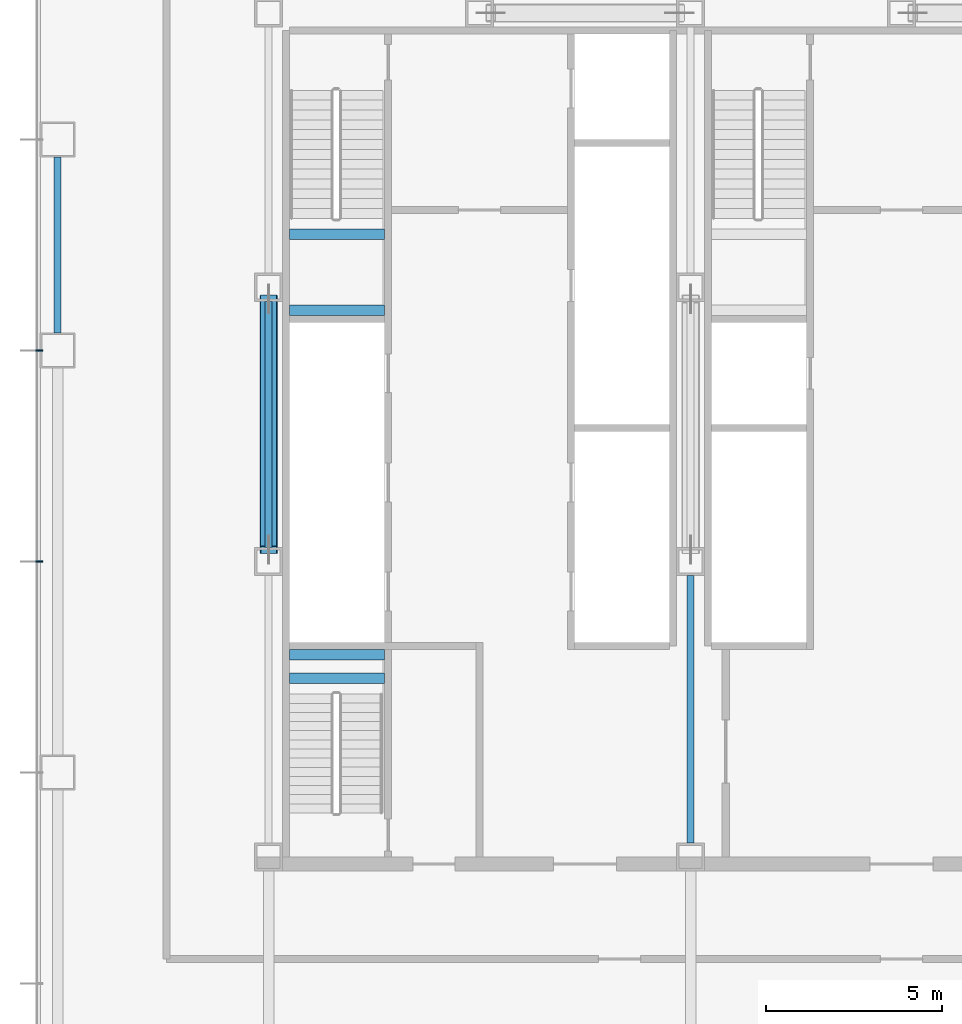
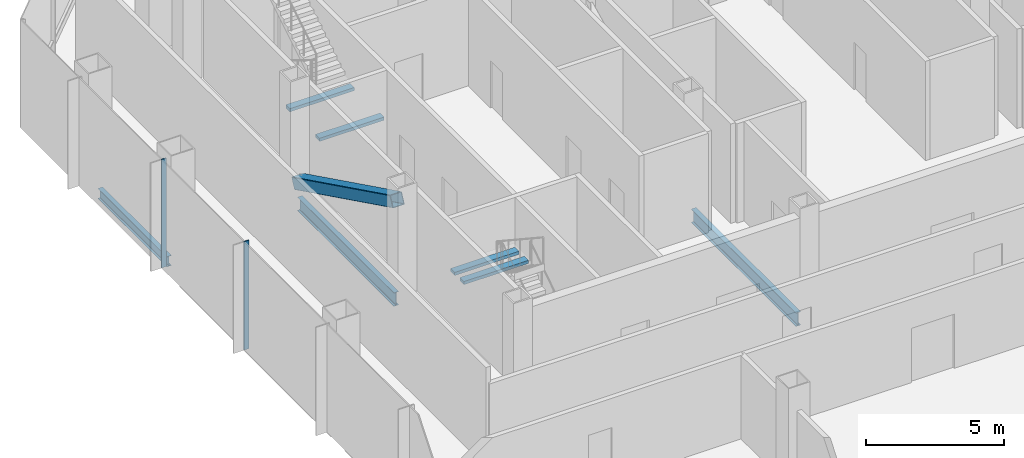
# One storey, part 11 of 33: 7 beams, 3 members, 1 element without a shape of its own.
"""IFC4 building model written with IfcOpenShell, lengths in metres."""

from ifc_helpers import new_model, si_unit, direction, frame, origin, origin_2d, place, context, subcontext, project, spatial, rectangle, hollow_rectangle, i_section, extrude, material, material_profile, profile_set, type_object, element, aggregate, save


model = new_model("IFC4")

# Units and contexts
model_context = context("Model", 3, precision=1e-05, world=origin(), true_north=direction((0.0, 1.0)))
body_context = subcontext(model_context, "Body", "Model", "MODEL_VIEW")
ifc_project = project(units=[si_unit("LENGTHUNIT", "METRE"), si_unit("AREAUNIT", "SQUARE_METRE"), si_unit("VOLUMEUNIT", "CUBIC_METRE"), si_unit("PLANEANGLEUNIT", "RADIAN"), si_unit("MASSUNIT", "GRAM", prefix="KILO")], contexts=[model_context])

# Site, building, storey
site_placement = place(None, origin())
site = spatial("IfcSite", under=ifc_project, at=site_placement, CompositionType="ELEMENT")
building_placement = place(site_placement, origin())
building = spatial("IfcBuilding", under=site, at=building_placement, Name="Sorahane Residences", CompositionType="ELEMENT")
storey_placement = place(building_placement, frame((0.0, 0.0, 34.800048828125)))
storey = spatial("IfcBuildingStorey", under=building, at=storey_placement, Name="L05", CompositionType="ELEMENT", Elevation=34.800048828125)

# Member
ifc_material_1 = material(Name="Steel Q355B", Category="steel")
ifc_material_profile_1 = material_profile(ifc_material_1, hollow_rectangle(XDim=0.5, YDim=0.5, WallThickness=0.02490234375, InnerFilletRadius=0.012451171875, OuterFilletRadius=0.03759765625, at=origin_2d()), Name="RHS 500x500x25")
ifc_profile_set_1 = profile_set([ifc_material_profile_1], Name="Steel Q355B")
member_type_1 = type_object("IfcMemberType", Name="Core brace RHS 500x500x25 Q355B", PredefinedType="BRACE", material=ifc_profile_set_1)
member_1_placement = place(storey_placement, frame((6.0, 37.46630859375, 0.21728515625), z_axis=(0.0, -0.89697311716, 0.44208509033), x_axis=(1.0, 0.0, 0.0)))
element("IfcMember", 1, at=member_1_placement, inside=storey, type_object=member_type_1, Name="Core brace L05 x6-2", PredefinedType="BRACE", context=body_context, shape_type="SweptSolid", body=[
    extrude(hollow_rectangle(XDim=0.5, YDim=0.5, WallThickness=0.02490234375, InnerFilletRadius=0.012451171875, OuterFilletRadius=0.03759765625, at=origin_2d()), origin(), (0.0, 0.0, 1.0), 7.951904296875),
])

# Curtain wall, members
ifc_material_2 = material(Name="Dark low-e glass and black anodised aluminium", Category="aluminium")
curtain_wall_type = type_object("IfcCurtainWallType", Name="Curtain wall CW-3 Podium unitised wall", PredefinedType="NOTDEFINED", material=ifc_material_2)
curtain_wall_placement = place(storey_placement, origin())
curtain_wall = element("IfcCurtainWall", 2, at=curtain_wall_placement, inside=storey, type_object=curtain_wall_type, Name="CW-3 curtain wall L05 W1", PredefinedType="NOTDEFINED")
ifc_material_3 = material(Name="Black anodised aluminium", Category="aluminium")
ifc_material_profile_2 = material_profile(ifc_material_3, rectangle(XDim=0.199951171875, YDim=0.050048828125, at=origin_2d()), Name="Curtain wall mullion CW-3 black anodised aluminium 50x200")
ifc_profile_set_2 = profile_set([ifc_material_profile_2], Name="Black anodised aluminium")
member_type_2 = type_object("IfcMemberType", Name="Curtain wall mullion CW-3 black anodised aluminium 50x200", PredefinedType="MULLION", material=ifc_profile_set_2)
member_2_placement = place(storey_placement, frame((-0.52001953125, 36.0, -0.400146484375), z_axis=(0.0, 0.0, 1.0), x_axis=(-1.0, 0.0, 0.0)))
member_2 = element("IfcMember", 3, at=member_2_placement, type_object=member_type_2, Name="CW-3 mullion L05 W1.3", PredefinedType="MULLION", context=body_context, shape_type="SweptSolid", body=[
    extrude(rectangle(XDim=0.199951171875, YDim=0.050048828125, at=origin_2d()), origin(), (0.0, 0.0, 1.0), 4.800048828125),
])
member_3_placement = place(storey_placement, frame((-0.52001953125, 30.0, -0.400146484375), z_axis=(0.0, 0.0, 1.0), x_axis=(-1.0, 0.0, 0.0)))
member_3 = element("IfcMember", 4, at=member_3_placement, type_object=member_type_2, Name="CW-3 mullion L05 W1.4", PredefinedType="MULLION", context=body_context, shape_type="SweptSolid", body=[
    extrude(rectangle(XDim=0.199951171875, YDim=0.050048828125, at=origin_2d()), origin(), (0.0, 0.0, 1.0), 4.800048828125),
])
aggregate(curtain_wall, [member_2, member_3])

# Beams
ifc_material_4 = material(Name="Concrete C40", Category="concrete")
ifc_material_profile_3 = material_profile(ifc_material_4, rectangle(XDim=0.300048828125, YDim=0.139892578125, at=origin_2d()), Name="300x140")
ifc_profile_set_3 = profile_set([ifc_material_profile_3], Name="Concrete C40")
beam_type_1 = type_object("IfcBeamType", Name="RC landing beam 300 x 140 Concrete C40", PredefinedType="BEAM", material=ifc_profile_set_3)
for number, where, z_axis, x_axis, name in (
    (5, (6.60009765625, 37.14990234375, 2.1298828125), (1.0, 0.0, 0.0), (0.0, 1.0, 0.0), "Landing beam"),
    (6, (6.60009765625, 39.31005859375, 2.1298828125), (1.0, 0.0, 0.0), (0.0, 1.0, 0.0), "Landing beam"),
    (7, (6.60009765625, 26.679931640625, 2.1298828125), (1.0, 0.0, 0.0), (0.0, 1.0, 0.0), "Landing beam"),
    (8, (6.60009765625, 27.35009765625, 2.1298828125), (1.0, 0.0, 0.0), (0.0, 1.0, 0.0), "Landing beam"),
):
    element("IfcBeam", number, at=place(storey_placement, frame(where, z_axis=z_axis, x_axis=x_axis)), inside=storey, type_object=beam_type_1, Name=name, PredefinedType="BEAM", context=body_context, shape_type="SweptSolid", body=[
        extrude(rectangle(XDim=0.300048828125, YDim=0.139892578125, at=origin_2d()), origin(), (0.0, 0.0, 1.0), 2.699951171875),
    ])
ifc_material_5 = material(Name="Steel Q355B", Category="steel")
ifc_material_profile_4 = material_profile(ifc_material_5, i_section(OverallWidth=0.199951171875, OverallDepth=0.449951171875, WebThickness=0.009033203125, FlangeThickness=0.013916015625, FilletRadius=0.02001953125, at=origin_2d()), Name="HN 450x200x9x14")
ifc_profile_set_4 = profile_set([ifc_material_profile_4], Name="Steel Q355B")
beam_type_2 = type_object("IfcBeamType", Name="Steel floor beam HN 450x200x9x14 Q355B", PredefinedType="BEAM", material=ifc_profile_set_4)
beam_1_placement = place(storey_placement, frame((0.0, 36.5, -0.625), z_axis=(0.0, 1.0, 0.0), x_axis=(-1.0, 0.0, 0.0)))
element("IfcBeam", 9, at=beam_1_placement, inside=storey, type_object=beam_type_2, Name="Beam L05 028", PredefinedType="BEAM", context=body_context, shape_type="SweptSolid", body=[
    extrude(i_section(OverallWidth=0.199951171875, OverallDepth=0.449951171875, WebThickness=0.009033203125, FlangeThickness=0.013916015625, FilletRadius=0.02001953125, at=origin_2d()), origin(), (0.0, 0.0, 1.0), 5.0),
])
ifc_material_6 = material(Name="Steel Q355B", Category="steel")
ifc_material_profile_5 = material_profile(ifc_material_6, i_section(OverallWidth=0.199951171875, OverallDepth=0.60009765625, WebThickness=0.010986328125, FlangeThickness=0.01708984375, FilletRadius=0.02392578125, at=origin_2d()), Name="HN 600x200x11x17")
ifc_profile_set_5 = profile_set([ifc_material_profile_5], Name="Steel Q355B")
beam_type_3 = type_object("IfcBeamType", Name="Steel floor beam HN 600x200x11x17 Q355B", PredefinedType="BEAM", material=ifc_profile_set_5)
beam_2_placement = place(storey_placement, frame((6.0, 30.39990234375, -0.699951171875), z_axis=(0.0, 1.0, 0.0), x_axis=(-1.0, 0.0, 0.0)))
element("IfcBeam", 10, at=beam_2_placement, inside=storey, type_object=beam_type_3, Name="Beam L05 032", PredefinedType="BEAM", context=body_context, shape_type="SweptSolid", body=[
    extrude(i_section(OverallWidth=0.199951171875, OverallDepth=0.60009765625, WebThickness=0.010986328125, FlangeThickness=0.01708984375, FilletRadius=0.02392578125, at=origin_2d()), origin(), (0.0, 0.0, 1.0), 7.0),
])
beam_3_placement = place(storey_placement, frame((18.0, 22.0, -0.699951171875), z_axis=(0.0, 1.0, 0.0), x_axis=(-1.0, 0.0, 0.0)))
element("IfcBeam", 11, at=beam_3_placement, inside=storey, type_object=beam_type_3, Name="Beam L05 040", PredefinedType="BEAM", context=body_context, shape_type="SweptSolid", body=[
    extrude(i_section(OverallWidth=0.199951171875, OverallDepth=0.60009765625, WebThickness=0.010986328125, FlangeThickness=0.01708984375, FilletRadius=0.02392578125, at=origin_2d()), origin(), (0.0, 0.0, 1.0), 7.60009765625),
])

save(model, "model.ifc")
